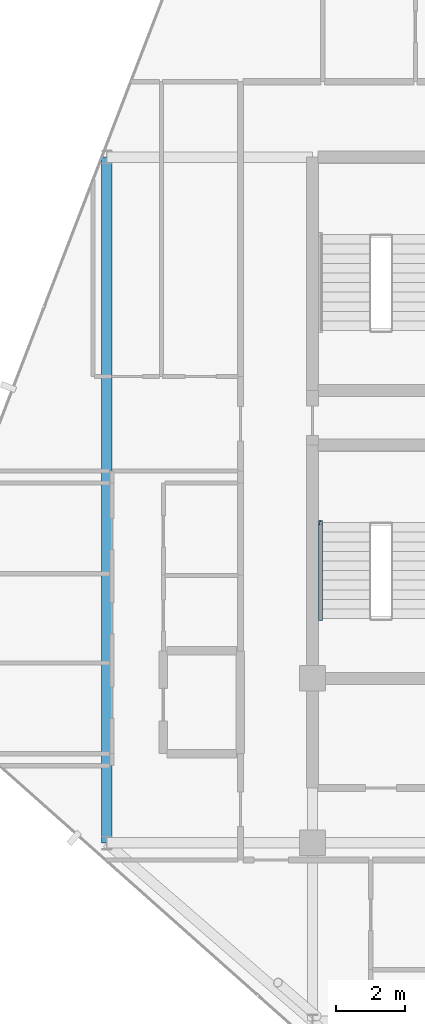
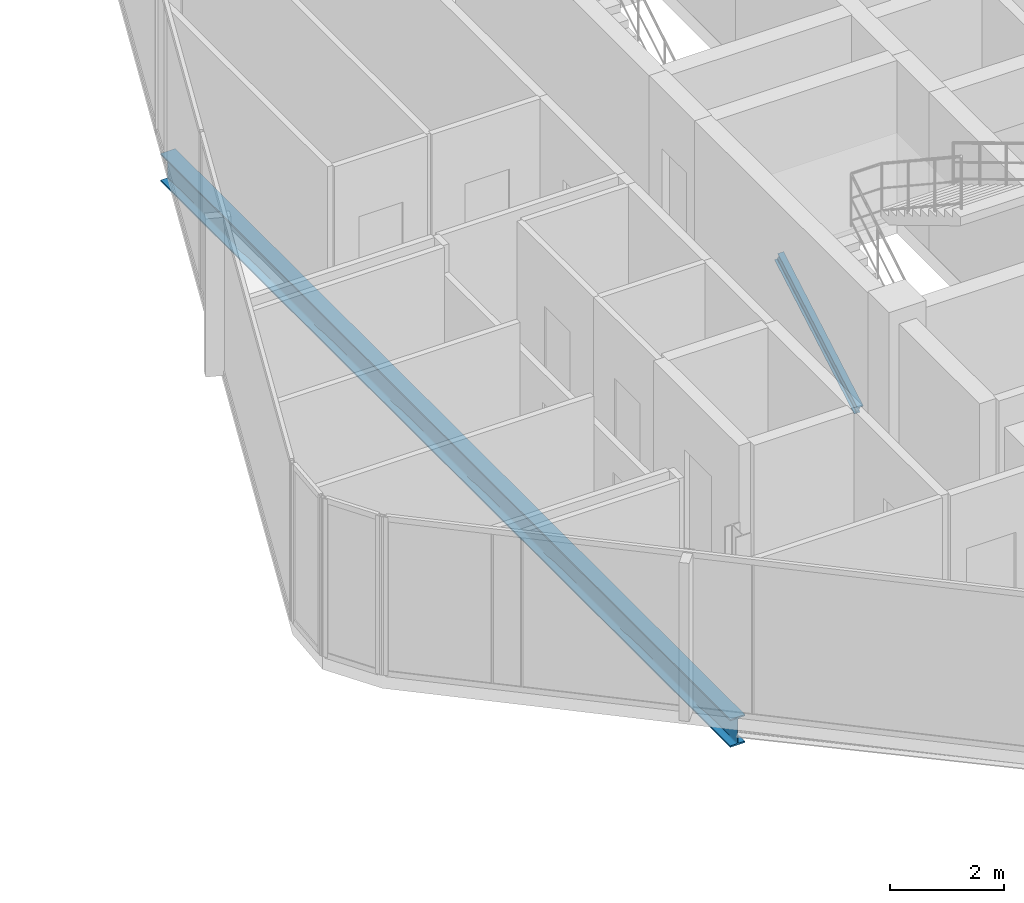
# One storey, part 11 of 30: 1 beam, 1 member.
"""IFC4 building model written with IfcOpenShell, lengths in metres."""

from ifc_helpers import new_model, si_unit, direction, frame, origin, origin_2d, place, context, subcontext, project, spatial, i_section, extrude, material, material_profile, profile_set, type_object, element, save


model = new_model("IFC4")

# Units and contexts
model_context = context("Model", 3, precision=1e-05, world=origin(), true_north=direction((0.0, 1.0)))
body_context = subcontext(model_context, "Body", "Model", "MODEL_VIEW")
ifc_project = project(units=[si_unit("LENGTHUNIT", "METRE"), si_unit("AREAUNIT", "SQUARE_METRE"), si_unit("VOLUMEUNIT", "CUBIC_METRE"), si_unit("PLANEANGLEUNIT", "RADIAN"), si_unit("MASSUNIT", "GRAM", prefix="KILO")], contexts=[model_context])

# Site, building, storey
site_placement = place(None, origin())
site = spatial("IfcSite", under=ifc_project, at=site_placement, CompositionType="ELEMENT")
building_placement = place(site_placement, origin())
building = spatial("IfcBuilding", under=site, at=building_placement, Name="Keshet Zoharim Tower", CompositionType="ELEMENT")
storey_placement = place(building_placement, frame((0.0, 0.0, 280.60009765625)))
storey = spatial("IfcBuildingStorey", under=building, at=storey_placement, Name="L70", CompositionType="ELEMENT", Elevation=280.60009765625)

# Beam
ifc_material = material(Name="Steel S355", Category="steel")
ifc_material_profile_1 = material_profile(ifc_material, i_section(OverallWidth=0.300048828125, OverallDepth=0.60009765625, WebThickness=0.015380859375, FlangeThickness=0.030029296875, FilletRadius=0.027099609375, at=origin_2d()), Name="HEB600")
ifc_profile_set_1 = profile_set([ifc_material_profile_1], Name="Steel S355")
beam_type = type_object("IfcBeamType", Name="BM-LNG-HB600", PredefinedType="BEAM", material=ifc_profile_set_1)
beam_placement = place(storey_placement, frame((9.0, 17.89990234375, -0.610107421875), z_axis=(0.0, 1.0, 0.0), x_axis=(-1.0, 0.0, 0.0)))
element("IfcBeam", 1, at=beam_placement, inside=storey, type_object=beam_type, Name="L70 Primary Girder Y-001", PredefinedType="BEAM", context=body_context, shape_type="SweptSolid", body=[
    extrude(i_section(OverallWidth=0.300048828125, OverallDepth=0.60009765625, WebThickness=0.015380859375, FlangeThickness=0.030029296875, FilletRadius=0.027099609375, at=origin_2d()), origin(), (0.0, 0.0, 1.0), 20.0),
])

# Member
ifc_material_profile_2 = material_profile(ifc_material, i_section(OverallWidth=0.1201171875, OverallDepth=0.239990234375, WebThickness=0.006103515625, FlangeThickness=0.009765625, FilletRadius=0.014892578125, at=origin_2d()), Name="IPE240")
ifc_profile_set_2 = profile_set([ifc_material_profile_2], Name="Steel S355")
member_type = type_object("IfcMemberType", Name="MB-STRG-IP240", PredefinedType="STRINGER", material=ifc_profile_set_2)
member_placement = place(storey_placement, frame((15.22998046875, 24.43994140625, 0.119873046875), z_axis=(0.0, 0.86689568745, 0.49848958573), x_axis=(-1.0, 0.0, 0.0)))
element("IfcMember", 2, at=member_placement, inside=storey, type_object=member_type, Name="L70 ST-01 Flight Steel Stringer", PredefinedType="STRINGER", context=body_context, shape_type="SweptSolid", body=[
    extrude(i_section(OverallWidth=0.1201171875, OverallDepth=0.239990234375, WebThickness=0.006103515625, FlangeThickness=0.009765625, FilletRadius=0.014892578125, at=origin_2d()), origin(), (0.0, 0.0, 1.0), 3.22998046875),
])

save(model, "model.ifc")
